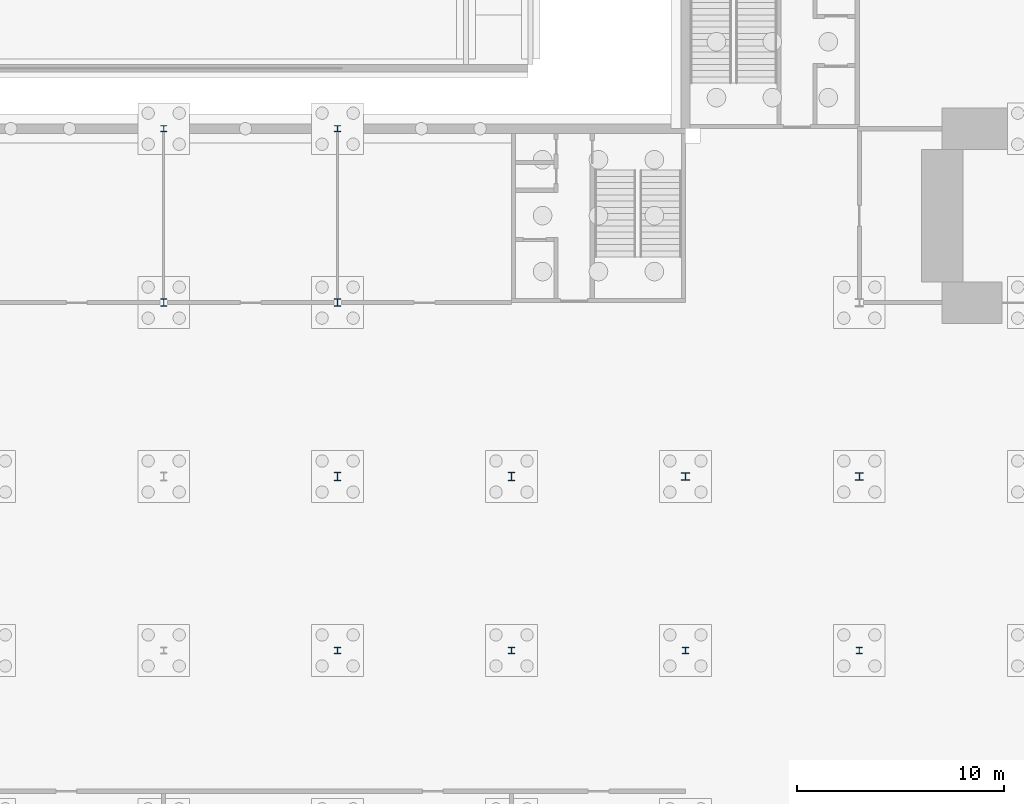
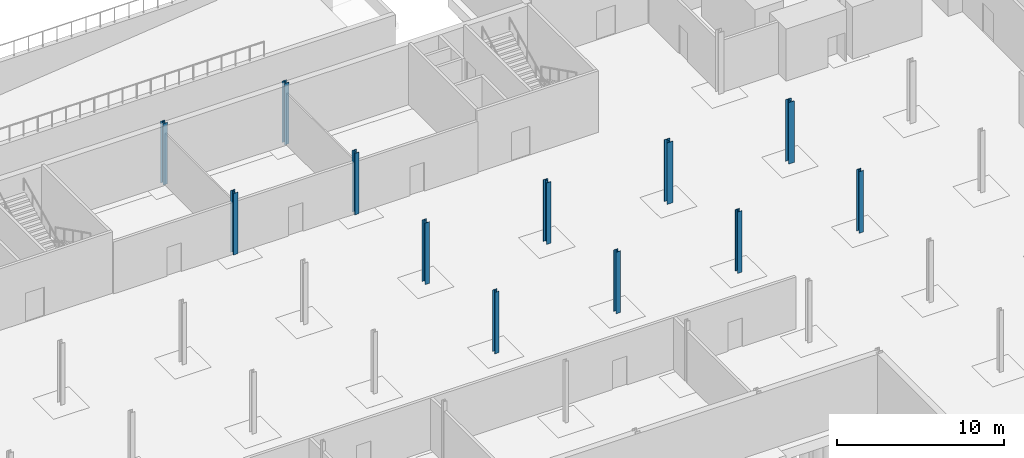
# One storey, part 13 of 35: 12 columns.
"""IFC4 building model written with IfcOpenShell, lengths in metres."""

import ifcopenshell
import ifcopenshell.guid

model = None  # the IFC model being written
_history = None  # IfcOwnerHistory: only IFC2X3 demands one
_inside = {}  # id of a spatial element -> (the spatial element, [elements in it])
_under = {}  # id of a project, library or spatial element -> (it, [spatial elements below it])
_declared = {}  # id of a project -> (the project, [libraries it declares])
_typed = {}  # id of a type object -> (the type object, [elements of that type])
_made_of = {}  # id of a material, layer set ... -> (it, [elements and type objects made of it])


def new_model(schema):
    """Start an empty IFC model of exactly this schema.

    Asked for "IFC4X3", IfcOpenShell would pick the latest addendum, in which some entities
    have other attributes; the version numbers below select the first issue.
    IFC2X3 requires an IfcOwnerHistory on every rooted entity: one is made here for all.
    """
    global model, _history
    if schema == "IFC4X3":
        model = ifcopenshell.file(schema_version=(4, 3, 0, 0))
    else:
        model = ifcopenshell.file(schema=schema)
    _inside.clear()
    _under.clear()
    _declared.clear()
    _typed.clear()
    _made_of.clear()
    _history = None
    if model.schema == "IFC2X3":
        org = make("IfcOrganization", Name="unknown")
        user = make(
            "IfcPersonAndOrganization",
            ThePerson=make("IfcPerson", FamilyName="unknown"),
            TheOrganization=org,
        )
        app = make(
            "IfcApplication",
            ApplicationDeveloper=org,
            Version="unknown",
            ApplicationFullName="unknown",
            ApplicationIdentifier="unknown",
        )
        _history = make(
            "IfcOwnerHistory",
            OwningUser=user,
            OwningApplication=app,
            ChangeAction="ADDED",
            CreationDate=0,
        )
    return model


def make(cls, **values):
    """One entity of the class cls with the attributes given. An attribute that is None is left unset."""
    return model.create_entity(
        cls, **{name: value for name, value in values.items() if value is not None}
    )


def rooted(cls, **values):
    """An entity with a GlobalId (a new one), such as an element, a storey or a relation."""
    return make(cls, GlobalId=ifcopenshell.guid.new(), OwnerHistory=_history, **values)


def si_unit(unit_type, name, prefix=None):
    """IfcSIUnit, for example si_unit("LENGTHUNIT", "METRE", prefix="MILLI")."""
    return make("IfcSIUnit", UnitType=unit_type, Prefix=prefix, Name=name)


def assignment(units):
    """IfcUnitAssignment: the units of a project."""
    return None if units is None else make("IfcUnitAssignment", Units=units)


def point(xyz):
    """IfcCartesianPoint."""
    return None if xyz is None else make("IfcCartesianPoint", Coordinates=xyz)


def direction(xyz):
    """IfcDirection."""
    return None if xyz is None else make("IfcDirection", DirectionRatios=xyz)


def frame(location, z_axis=None, x_axis=None):
    """IfcAxis2Placement3D, a coordinate frame: its origin and axes. An axis left out is left unset."""
    return make(
        "IfcAxis2Placement3D",
        Location=point(location),
        Axis=direction(z_axis),
        RefDirection=direction(x_axis),
    )


def frame_2d(location, x_axis=None):
    """IfcAxis2Placement2D, a coordinate frame in the plane: its origin and x axis."""
    return make(
        "IfcAxis2Placement2D", Location=point(location), RefDirection=direction(x_axis)
    )


def origin():
    """The frame at (0, 0, 0) with its axes left unset."""
    return frame((0.0, 0.0, 0.0))


def origin_2d():
    """The frame at (0, 0) in the plane with its x axis left unset."""
    return frame_2d((0.0, 0.0))


def place(relative_to, where):
    """IfcLocalPlacement: puts the frame where relative to a parent placement (None: the world)."""
    return make(
        "IfcLocalPlacement", PlacementRelTo=relative_to, RelativePlacement=where
    )


def context(
    kind, dimensions, precision=None, world=None, true_north=None, identifier=None
):
    """IfcGeometricRepresentationContext, for example the 3D "Model" context."""
    return make(
        "IfcGeometricRepresentationContext",
        ContextIdentifier=identifier,
        ContextType=kind,
        CoordinateSpaceDimension=dimensions,
        Precision=precision,
        WorldCoordinateSystem=world,
        TrueNorth=true_north,
    )


def subcontext(parent, identifier, kind, view, scale=None):
    """IfcGeometricRepresentationSubContext, for example "Body" below "Model"."""
    return make(
        "IfcGeometricRepresentationSubContext",
        ContextIdentifier=identifier,
        ContextType=kind,
        ParentContext=parent,
        TargetScale=scale,
        TargetView=view,
    )


def project(units=None, contexts=None):
    """IfcProject with its units and contexts."""
    return rooted(
        "IfcProject",
        Name="project",
        RepresentationContexts=contexts,
        UnitsInContext=assignment(units),
    )


def spatial(cls, under=None, at=None, **own):
    """A site, building, storey or space (cls), placed at a placement, below another one or the project."""
    s = rooted(cls, ObjectPlacement=at, **own)
    if under is not None:
        _under.setdefault(under.id(), (under, []))[1].append(s)
    return s


def profile(cls, at=None, kind="AREA", **sizes):
    """A parametric profile (cls). Its sizes go by their IFC names, for example OverallWidth=200.0."""
    return make(cls, ProfileType=kind, Position=at, **sizes)


def i_section(**sizes):
    """IfcIShapeProfileDef."""
    return profile("IfcIShapeProfileDef", **sizes)


def extrude(swept, where, along, depth):
    """IfcExtrudedAreaSolid: the profile swept, set in the frame where, extruded along a direction by depth."""
    return make(
        "IfcExtrudedAreaSolid",
        SweptArea=swept,
        Position=where,
        ExtrudedDirection=direction(along),
        Depth=depth,
    )


def shape(context_of_items, identifier, shape_type, items):
    """IfcShapeRepresentation: the items that make up one representation, for example the "Body"."""
    return make(
        "IfcShapeRepresentation",
        ContextOfItems=context_of_items,
        RepresentationIdentifier=identifier,
        RepresentationType=shape_type,
        Items=items,
    )


def material(Name=None, Category=None):
    """IfcMaterial."""
    return make("IfcMaterial", Name=Name, Category=Category)


def material_profile(
    of_material, cross_section, Name=None, Category=None, Priority=None
):
    """IfcMaterialProfile: a cross section and its material."""
    return make(
        "IfcMaterialProfile",
        Name=Name,
        Material=of_material,
        Profile=cross_section,
        Priority=Priority,
        Category=Category,
    )


def profile_set(profiles, Name=None, composite=None):
    """IfcMaterialProfileSet."""
    return make(
        "IfcMaterialProfileSet",
        Name=Name,
        MaterialProfiles=profiles,
        CompositeProfile=composite,
    )


def made_of(thing, what):
    """Note that an element or type object is made of a material, layer set ...; save() writes the relation."""
    if what is not None:
        _made_of.setdefault(what.id(), (what, []))[1].append(thing)
    return thing


def type_object(cls, material=None, **own):
    """A type object (cls), such as IfcWallType, which elements share."""
    return made_of(rooted(cls, **own), material)


def element(
    cls,
    number,
    at=None,
    inside=None,
    cuts=None,
    type_object=None,
    material=None,
    context=None,
    identifier="Body",
    shape_type=None,
    held_by="IfcProductDefinitionShape",
    body=None,
    shapes=None,
    **own,
):
    """One element of the class cls, such as IfcWall. Its Tag is "e" and its number.

    at: its placement. inside: the storey or other place that contains it. cuts: it is an
    opening in that element (IfcRelVoidsElement). A single representation is given by context,
    identifier, shape_type and body (its items); several are given by shapes. held_by: the class
    of the entity that holds the representations. save() writes the other relations.
    """
    e = rooted(cls, Tag="e%d" % number, ObjectPlacement=at, **own)
    if body is not None:
        shapes = [shape(context, identifier, shape_type, body)]
    if shapes is not None:
        e.Representation = make(held_by, Representations=shapes)
    if inside is not None:
        _inside.setdefault(inside.id(), (inside, []))[1].append(e)
    if cuts is not None:
        rooted(
            "IfcRelVoidsElement", RelatingBuildingElement=cuts, RelatedOpeningElement=e
        )
    if type_object is not None:
        _typed.setdefault(type_object.id(), (type_object, []))[1].append(e)
    return made_of(e, material)


def aggregate(whole, parts):
    """IfcRelAggregates: a whole, such as a stair, and the parts it consists of."""
    return rooted("IfcRelAggregates", RelatingObject=whole, RelatedObjects=parts)


def save(model, path):
    """Write the relations noted so far, then the file.

    IfcRelAggregates (storeys below a building ...), IfcRelContainedInSpatialStructure (elements
    in a storey), IfcRelDefinesByType, IfcRelAssociatesMaterial and IfcRelDeclares: one each for
    every whole, place, type object, material and project.
    """
    for whole, parts in _under.values():
        aggregate(whole, parts)
    for where, things in _inside.values():
        rooted(
            "IfcRelContainedInSpatialStructure",
            RelatedElements=things,
            RelatingStructure=where,
        )
    for kind, things in _typed.values():
        rooted("IfcRelDefinesByType", RelatedObjects=things, RelatingType=kind)
    for what, things in _made_of.values():
        rooted("IfcRelAssociatesMaterial", RelatedObjects=things, RelatingMaterial=what)
    for by, libraries in _declared.values():
        rooted("IfcRelDeclares", RelatingContext=by, RelatedDefinitions=libraries)
    model.write(path)


model = new_model("IFC4")

# Units and contexts
model_context = context("Model", 3, precision=1e-05, world=origin(), true_north=direction((0.0, 1.0)))
body_context = subcontext(model_context, "Body", "Model", "MODEL_VIEW")
ifc_project = project(units=[si_unit("LENGTHUNIT", "METRE"), si_unit("AREAUNIT", "SQUARE_METRE"), si_unit("VOLUMEUNIT", "CUBIC_METRE"), si_unit("PLANEANGLEUNIT", "RADIAN"), si_unit("MASSUNIT", "GRAM", prefix="KILO")], contexts=[model_context])

# Site, building, storey
site_placement = place(None, origin())
site = spatial("IfcSite", under=ifc_project, at=site_placement, CompositionType="ELEMENT")
building_placement = place(site_placement, origin())
building = spatial("IfcBuilding", under=site, at=building_placement, Name="Ardhachandra Cancer Care Centre", CompositionType="ELEMENT")
storey_placement = place(building_placement, frame((0.0, 0.0, -4.5)))
storey = spatial("IfcBuildingStorey", under=building, at=storey_placement, Name="B1", CompositionType="ELEMENT", Elevation=-4.5)

# Columns
ifc_material_1 = material(Name="Steel E350 (IS 2062)", Category="steel")
ifc_material_profile_1 = material_profile(ifc_material_1, i_section(OverallWidth=0.300048828125, OverallDepth=0.300048828125, WebThickness=0.010986328125, FlangeThickness=0.01904296875, FilletRadius=0.027099609375, at=origin_2d()), Name="WPB 300x300x117.03")
ifc_profile_set_1 = profile_set([ifc_material_profile_1], Name="Steel E350 (IS 2062)")
column_type_1 = type_object("IfcColumnType", Name="Column WPB 300x300x117.03", PredefinedType="COLUMN", material=ifc_profile_set_1)
for number, where, z_axis, x_axis, name in (
    (1, (94.800048828125, 71.39990234375, 0.0), (0.0, 0.0, 1.0), (1.0, 0.0, 0.0), "Column H11 B1"),
    (2, (103.199951171875, 71.39990234375, 0.0), (0.0, 0.0, 1.0), (1.0, 0.0, 0.0), "Column H12 B1"),
    (3, (111.60009765625, 71.39990234375, 0.0), (0.0, 0.0, 1.0), (1.0, 0.0, 0.0), "Column H13 B1"),
    (4, (120.0, 71.39990234375, 0.0), (0.0, 0.0, 1.0), (1.0, 0.0, 0.0), "Column H14 B1"),
    (5, (86.39990234375, 96.60009765625, 0.0), (0.0, 0.0, 1.0), (1.0, 0.0, 0.0), "Column L10 B1"),
    (6, (94.800048828125, 96.60009765625, 0.0), (0.0, 0.0, 1.0), (1.0, 0.0, 0.0), "Column L11 B1"),
):
    element("IfcColumn", number, at=place(storey_placement, frame(where, z_axis=z_axis, x_axis=x_axis)), inside=storey, type_object=column_type_1, Name=name, PredefinedType="COLUMN", context=body_context, shape_type="SweptSolid", body=[
        extrude(i_section(OverallWidth=0.300048828125, OverallDepth=0.300048828125, WebThickness=0.010986328125, FlangeThickness=0.01904296875, FilletRadius=0.027099609375, at=origin_2d()), origin(), (0.0, 0.0, 1.0), 4.5),
    ])
ifc_material_2 = material(Name="Steel E350 (IS 2062)", Category="steel")
ifc_material_profile_2 = material_profile(ifc_material_2, i_section(OverallWidth=0.300048828125, OverallDepth=0.360107421875, WebThickness=0.012451171875, FlangeThickness=0.0224609375, FilletRadius=0.027099609375, at=origin_2d()), Name="WPB 360x300x141.80")
ifc_profile_set_2 = profile_set([ifc_material_profile_2], Name="Steel E350 (IS 2062)")
column_type_2 = type_object("IfcColumnType", Name="Column WPB 360x300x141.80", PredefinedType="COLUMN", material=ifc_profile_set_2)
for number, where, z_axis, x_axis, name in (
    (7, (86.39990234375, 88.199951171875, 0.0), (0.0, 0.0, 1.0), (1.0, 0.0, 0.0), "Column K10 B1"),
    (8, (94.800048828125, 88.199951171875, 0.0), (0.0, 0.0, 1.0), (1.0, 0.0, 0.0), "Column K11 B1"),
):
    element("IfcColumn", number, at=place(storey_placement, frame(where, z_axis=z_axis, x_axis=x_axis)), inside=storey, type_object=column_type_2, Name=name, PredefinedType="COLUMN", context=body_context, shape_type="SweptSolid", body=[
        extrude(i_section(OverallWidth=0.300048828125, OverallDepth=0.360107421875, WebThickness=0.012451171875, FlangeThickness=0.0224609375, FilletRadius=0.027099609375, at=origin_2d()), origin(), (0.0, 0.0, 1.0), 4.5),
    ])
ifc_material_3 = material(Name="Steel E350 (IS 2062)", Category="steel")
ifc_material_profile_3 = material_profile(ifc_material_3, i_section(OverallWidth=0.300048828125, OverallDepth=0.39990234375, WebThickness=0.013427734375, FlangeThickness=0.02392578125, FilletRadius=0.027099609375, at=origin_2d()), Name="WPB 400x300x155.26")
ifc_profile_set_3 = profile_set([ifc_material_profile_3], Name="Steel E350 (IS 2062)")
column_type_3 = type_object("IfcColumnType", Name="Column WPB 400x300x155.26", PredefinedType="COLUMN", material=ifc_profile_set_3)
for number, where, z_axis, x_axis, name in (
    (9, (94.800048828125, 79.800048828125, 0.0), (0.0, 0.0, 1.0), (1.0, 0.0, 0.0), "Column J11 B1"),
    (10, (103.199951171875, 79.800048828125, 0.0), (0.0, 0.0, 1.0), (1.0, 0.0, 0.0), "Column J12 B1"),
):
    element("IfcColumn", number, at=place(storey_placement, frame(where, z_axis=z_axis, x_axis=x_axis)), inside=storey, type_object=column_type_3, Name=name, PredefinedType="COLUMN", context=body_context, shape_type="SweptSolid", body=[
        extrude(i_section(OverallWidth=0.300048828125, OverallDepth=0.39990234375, WebThickness=0.013427734375, FlangeThickness=0.02392578125, FilletRadius=0.027099609375, at=origin_2d()), origin(), (0.0, 0.0, 1.0), 4.5),
    ])
ifc_material_4 = material(Name="Steel E350 (IS 2062)", Category="steel")
ifc_material_profile_4 = material_profile(ifc_material_4, i_section(OverallWidth=0.39501953125, OverallDepth=0.3798828125, WebThickness=0.018798828125, FlangeThickness=0.0302734375, FilletRadius=0.027099609375, at=origin_2d()), Name="WPB 400x400x239.62")
ifc_profile_set_4 = profile_set([ifc_material_profile_4], Name="Steel E350 (IS 2062)")
column_type_4 = type_object("IfcColumnType", Name="Column WPB 400x400x239.62", PredefinedType="COLUMN", material=ifc_profile_set_4)
for number, where, z_axis, x_axis, name in (
    (11, (111.60009765625, 79.800048828125, 0.0), (0.0, 0.0, 1.0), (1.0, 0.0, 0.0), "Column J13 B1"),
    (12, (120.0, 79.800048828125, 0.0), (0.0, 0.0, 1.0), (1.0, 0.0, 0.0), "Column J14 B1"),
):
    element("IfcColumn", number, at=place(storey_placement, frame(where, z_axis=z_axis, x_axis=x_axis)), inside=storey, type_object=column_type_4, Name=name, PredefinedType="COLUMN", context=body_context, shape_type="SweptSolid", body=[
        extrude(i_section(OverallWidth=0.39501953125, OverallDepth=0.3798828125, WebThickness=0.018798828125, FlangeThickness=0.0302734375, FilletRadius=0.027099609375, at=origin_2d()), origin(), (0.0, 0.0, 1.0), 4.5),
    ])

save(model, "model.ifc")
